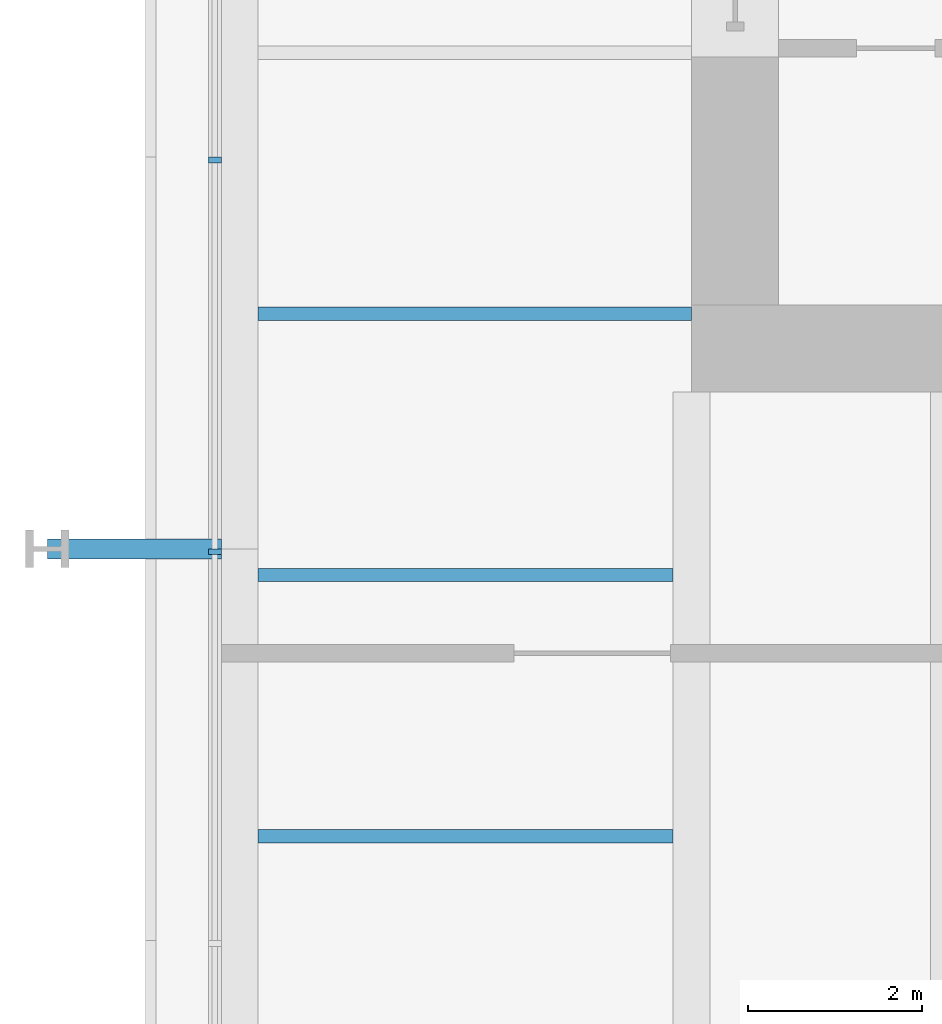
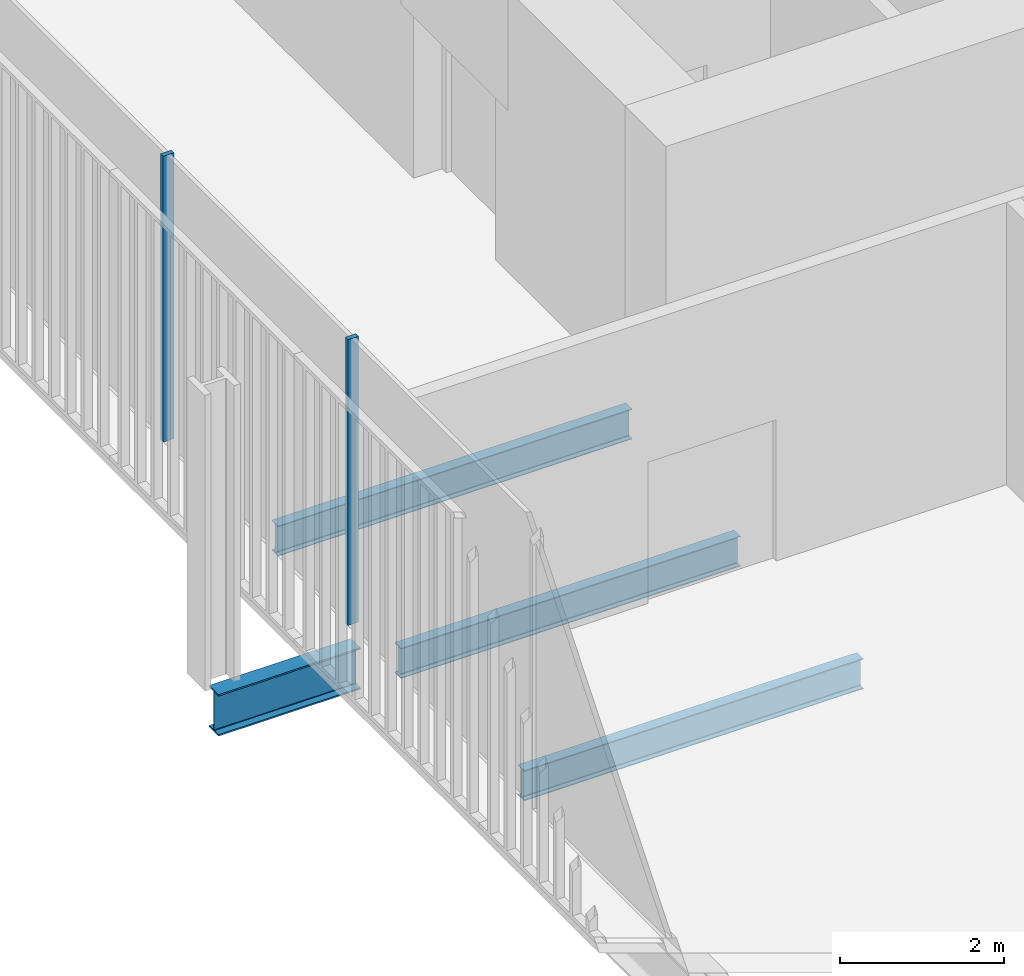
# One storey, part 5 of 20: 4 beams, 2 members, 1 element without a shape of its own.
"""IFC4 building model written with IfcOpenShell, lengths in metres."""

from ifc_helpers import new_model, si_unit, direction, frame, origin, origin_2d, place, context, subcontext, project, spatial, rectangle, i_section, extrude, material, layer, layer_set, material_profile, profile_set, type_object, element, aggregate, save


model = new_model("IFC4")

# Units and contexts
model_context = context("Model", 3, precision=1e-05, world=origin(), true_north=direction((0.0, 1.0)))
body_context = subcontext(model_context, "Body", "Model", "MODEL_VIEW")
ifc_project = project(units=[si_unit("LENGTHUNIT", "METRE"), si_unit("AREAUNIT", "SQUARE_METRE"), si_unit("VOLUMEUNIT", "CUBIC_METRE"), si_unit("PLANEANGLEUNIT", "RADIAN"), si_unit("MASSUNIT", "GRAM", prefix="KILO")], contexts=[model_context])

# Site, building, storey
site_placement = place(None, origin())
site = spatial("IfcSite", under=ifc_project, at=site_placement, CompositionType="ELEMENT")
building_placement = place(site_placement, origin())
building = spatial("IfcBuilding", under=site, at=building_placement, Name="Millrace Tower", CompositionType="ELEMENT")
storey_placement = place(building_placement, frame((0.0, 0.0, 77.60009765625)))
storey = spatial("IfcBuildingStorey", under=building, at=storey_placement, Name="L17", CompositionType="ELEMENT", Elevation=77.60009765625)

# Curtain wall, members
ifc_material_1 = material(Name="Aluminium and glass", Category="aluminium")
ifc_layer = layer(ifc_material_1, 0.14990234375)
ifc_layer_set = layer_set([ifc_layer], Name="Aluminium and glass")
curtain_wall_type = type_object("IfcCurtainWallType", Name="CW-3 telecom floor curtain wall", PredefinedType="NOTDEFINED", material=ifc_layer_set)
curtain_wall_placement = place(storey_placement, origin())
curtain_wall = element("IfcCurtainWall", 1, at=curtain_wall_placement, inside=storey, type_object=curtain_wall_type, Name="Curtain wall B-F08 L17", PredefinedType="NOTDEFINED")
ifc_material_2 = material(Name="Aluminium", Category="aluminium")
ifc_material_profile_1 = material_profile(ifc_material_2, rectangle(XDim=0.06494140625, YDim=0.14990234375, at=origin_2d()))
ifc_profile_set_1 = profile_set([ifc_material_profile_1], Name="Aluminium")
member_type = type_object("IfcMemberType", Name="CW-3 telecom floor curtain wall mullion", PredefinedType="MULLION", material=ifc_profile_set_1)
member_1_placement = place(storey_placement, frame((-20.375, -7.232421875, 0.14990234375), z_axis=(0.0, 0.0, 1.0), x_axis=(0.0, -1.0, 0.0)))
member_1 = element("IfcMember", 2, at=member_1_placement, type_object=member_type, Name="CW3 mullion B-F08.6", PredefinedType="MULLION", context=body_context, shape_type="SweptSolid", body=[
    extrude(rectangle(XDim=0.06494140625, YDim=0.14990234375, at=origin_2d()), origin(), (0.0, 0.0, 1.0), 4.25),
])
member_2_placement = place(storey_placement, frame((-20.375, -11.732421875, 0.14990234375), z_axis=(0.0, 0.0, 1.0), x_axis=(0.0, -1.0, 0.0)))
member_2 = element("IfcMember", 3, at=member_2_placement, type_object=member_type, Name="CW3 mullion B-F08.7", PredefinedType="MULLION", context=body_context, shape_type="SweptSolid", body=[
    extrude(rectangle(XDim=0.06494140625, YDim=0.14990234375, at=origin_2d()), origin(), (0.0, 0.0, 1.0), 4.25),
])
aggregate(curtain_wall, [member_1, member_2])

# Beams
ifc_material_3 = material(Name="Steel ASTM A992 Grade 50", Category="steel")
ifc_material_profile_2 = material_profile(ifc_material_3, i_section(OverallWidth=0.15234375, OverallDepth=0.449462890625, WebThickness=0.007568359375, FlangeThickness=0.0107421875, FilletRadius=0.01025390625, at=origin_2d()))
ifc_profile_set_2 = profile_set([ifc_material_profile_2], Name="Steel ASTM A992 Grade 50")
beam_type_1 = type_object("IfcBeamType", Name="Floor beam W18x35", PredefinedType="JOIST", material=ifc_profile_set_2)
for number, where, z_axis, x_axis, name in (
    (4, (-19.880859375, -15.0, -0.4248046875), (1.0, 0.0, 0.0), (0.0, 1.0, 0.0), "BM-B-L17-S1-S009"),
    (5, (-19.880859375, -12.0, -0.4248046875), (1.0, 0.0, 0.0), (0.0, 1.0, 0.0), "BM-B-L17-S1-S011"),
):
    element("IfcBeam", number, at=place(storey_placement, frame(where, z_axis=z_axis, x_axis=x_axis)), inside=storey, type_object=beam_type_1, Name=name, PredefinedType="JOIST", context=body_context, shape_type="SweptSolid", body=[
        extrude(i_section(OverallWidth=0.15234375, OverallDepth=0.449462890625, WebThickness=0.007568359375, FlangeThickness=0.0107421875, FilletRadius=0.01025390625, at=origin_2d()), origin(), (0.0, 0.0, 1.0), 4.77001953125),
    ])
beam_1_placement = place(storey_placement, frame((-19.880859375, -9.0, -0.4248046875), z_axis=(1.0, 0.0, 0.0), x_axis=(0.0, 1.0, 0.0)))
element("IfcBeam", 6, at=beam_1_placement, inside=storey, type_object=beam_type_1, Name="BM-B-L17-S1-S014", PredefinedType="JOIST", context=body_context, shape_type="SweptSolid", body=[
    extrude(i_section(OverallWidth=0.15234375, OverallDepth=0.449462890625, WebThickness=0.007568359375, FlangeThickness=0.0107421875, FilletRadius=0.01025390625, at=origin_2d()), origin(), (0.0, 0.0, 1.0), 4.98095703125),
])
ifc_material_4 = material(Name="Steel ASTM A992 Grade 50", Category="steel")
ifc_material_profile_3 = material_profile(ifc_material_4, i_section(OverallWidth=0.23046875, OverallDepth=0.6171875, WebThickness=0.01318359375, FlangeThickness=0.022216796875, FilletRadius=0.012939453125, at=origin_2d()))
ifc_profile_set_3 = profile_set([ifc_material_profile_3], Name="Steel ASTM A992 Grade 50")
beam_type_2 = type_object("IfcBeamType", Name="Link beam W24x94", PredefinedType="BEAM", material=ifc_profile_set_3)
beam_2_placement = place(storey_placement, frame((-20.300048828125, -11.699951171875, -0.5087890625), z_axis=(-1.0, 0.0, 0.0), x_axis=(0.0, -1.0, 0.0)))
element("IfcBeam", 7, at=beam_2_placement, inside=storey, type_object=beam_type_2, Name="LNK-B-L17-S1-02", PredefinedType="BEAM", context=body_context, shape_type="SweptSolid", body=[
    extrude(i_section(OverallWidth=0.23046875, OverallDepth=0.6171875, WebThickness=0.01318359375, FlangeThickness=0.022216796875, FilletRadius=0.012939453125, at=origin_2d()), origin(), (0.0, 0.0, 1.0), 2.0),
])

save(model, "model.ifc")
